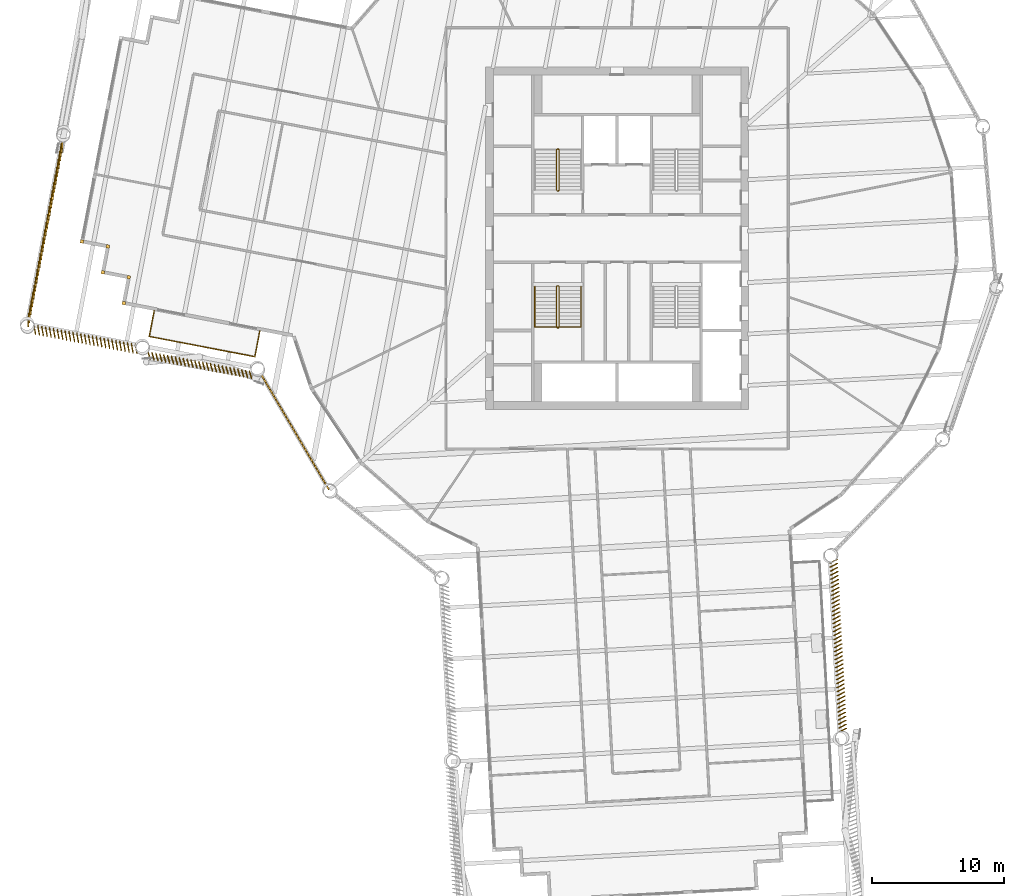
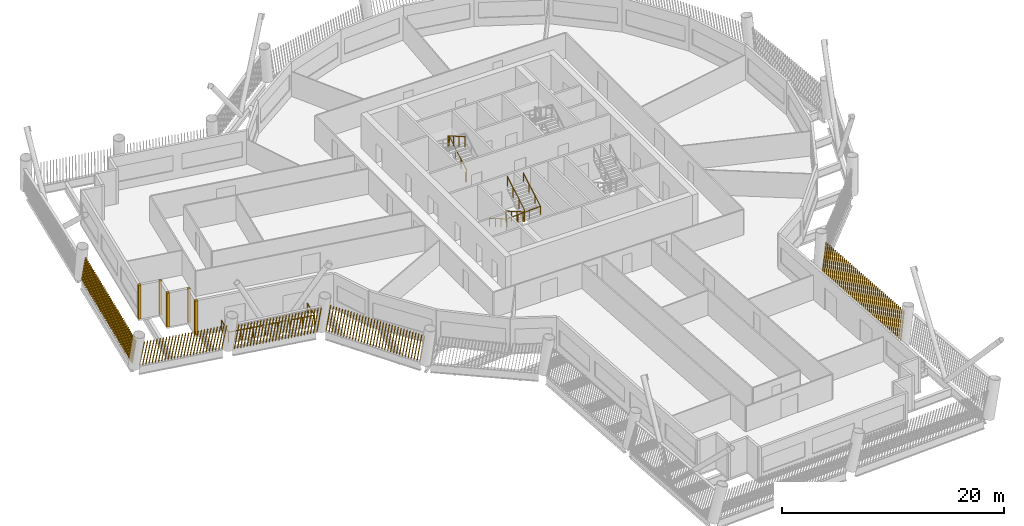
# One storey, part 20 of 23: 10 shading devices, 4 railings.
"""IFC4 building model written with IfcOpenShell, lengths in metres."""

from ifc_helpers import new_model, si_unit, direction, frame, frame_2d, origin, origin_2d, place, context, subcontext, project, spatial, rectangle, circle, composite_profile, extrude, material, type_object, element, save


model = new_model("IFC4")

# Units and contexts
model_context = context("Model", 3, precision=1e-05, world=origin(), true_north=direction((0.0, 1.0)))
body_context = subcontext(model_context, "Body", "Model", "MODEL_VIEW")
ifc_project = project(units=[si_unit("LENGTHUNIT", "METRE"), si_unit("AREAUNIT", "SQUARE_METRE"), si_unit("VOLUMEUNIT", "CUBIC_METRE"), si_unit("PLANEANGLEUNIT", "RADIAN"), si_unit("MASSUNIT", "GRAM", prefix="KILO")], contexts=[model_context])

# Site, building, storey
site_placement = place(None, origin())
site = spatial("IfcSite", under=ifc_project, at=site_placement, CompositionType="ELEMENT")
building_placement = place(site_placement, origin())
building = spatial("IfcBuilding", under=site, at=building_placement, Name="Tarsis Ring Headquarters", CompositionType="ELEMENT")
storey_placement = place(building_placement, frame((0.0, 0.0, 239.39990234375)))
storey = spatial("IfcBuildingStorey", under=building, at=storey_placement, Name="L56", CompositionType="ELEMENT", Elevation=239.39990234375)

# Railings
ifc_material_1 = material(Name="Stainless steel guard", Category="steel")
railing_type_1 = type_object("IfcRailingType", Name="Balcony balustrade with mesh infill 1100", PredefinedType="BALUSTRADE", material=ifc_material_1)
railing_1_placement = place(storey_placement, frame((-35.158935546875, -5.485595703125, 0.0)))
element("IfcRailing", 1, at=railing_1_placement, inside=storey, type_object=railing_type_1, Name="Balcony balustrade L56-01", PredefinedType="BALUSTRADE", context=body_context, shape_type="SweptSolid", body=[
    extrude(circle(Radius=0.030029296875, at=origin_2d()), frame((0.0, 0.0, 1.070068359375), z_axis=(-0.188104839582, -0.982148954755, 0.0), x_axis=(0.982148954755, -0.188104839582, 0.0)), (0.0, 0.0, 1.0), 2.0),
    extrude(circle(Radius=0.030029296875, at=origin_2d()), frame((-0.376220703125, -1.96435546875, 1.070068359375), z_axis=(0.982156366018, -0.188066139136, 0.0), x_axis=(0.188066139136, 0.982156366018, 0.0)), (0.0, 0.0, 1.0), 8.171875),
    extrude(circle(Radius=0.030029296875, at=origin_2d()), frame((7.64990234375, -3.501220703125, 1.070068359375), z_axis=(0.188104839582, 0.982148954755, 0.0), x_axis=(-0.982148954755, 0.188104839582, 0.0)), (0.0, 0.0, 1.0), 2.0),
    extrude(circle(Radius=0.02490234375, at=origin_2d()), origin(), (0.0, 0.0, 1.0), 1.0400390625),
    extrude(circle(Radius=0.02490234375, at=origin_2d()), frame((-0.18798828125, -0.982177734375, 0.0)), (0.0, 0.0, 1.0), 1.0400390625),
    extrude(circle(Radius=0.02490234375, at=origin_2d()), frame((-0.376220703125, -1.96435546875, 0.0)), (0.0, 0.0, 1.0), 1.0400390625),
    extrude(circle(Radius=0.02490234375, at=origin_2d()), frame((0.770263671875, -2.183837890625, 0.0)), (0.0, 0.0, 1.0), 1.0400390625),
    extrude(circle(Radius=0.02490234375, at=origin_2d()), frame((1.9169921875, -2.403564453125, 0.0)), (0.0, 0.0, 1.0), 1.0400390625),
    extrude(circle(Radius=0.02490234375, at=origin_2d()), frame((3.0634765625, -2.623046875, 0.0)), (0.0, 0.0, 1.0), 1.0400390625),
    extrude(circle(Radius=0.02490234375, at=origin_2d()), frame((4.210205078125, -2.842529296875, 0.0)), (0.0, 0.0, 1.0), 1.0400390625),
    extrude(circle(Radius=0.02490234375, at=origin_2d()), frame((5.356689453125, -3.06201171875, 0.0)), (0.0, 0.0, 1.0), 1.0400390625),
    extrude(circle(Radius=0.02490234375, at=origin_2d()), frame((6.50341796875, -3.28173828125, 0.0)), (0.0, 0.0, 1.0), 1.0400390625),
    extrude(circle(Radius=0.02490234375, at=origin_2d()), frame((7.64990234375, -3.501220703125, 0.0)), (0.0, 0.0, 1.0), 1.0400390625),
    extrude(circle(Radius=0.02490234375, at=origin_2d()), frame((7.837890625, -2.51904296875, 0.0)), (0.0, 0.0, 1.0), 1.0400390625),
    extrude(circle(Radius=0.02490234375, at=origin_2d()), frame((8.026123046875, -1.536865234375, 0.0)), (0.0, 0.0, 1.0), 1.0400390625),
])
ifc_material_2 = material(Name="Steel S355", Category="steel")
railing_type_2 = type_object("IfcRailingType", Name="Core stair guard 1100", PredefinedType="GUARDRAIL", material=ifc_material_2)
railing_2_placement = place(storey_placement, frame((-4.5400390625, 3.610107421875, 0.0)))
element("IfcRailing", 2, at=railing_2_placement, inside=storey, type_object=railing_type_2, Name="L56 ST1 stair guard 1", PredefinedType="GUARDRAIL", context=body_context, shape_type="SweptSolid", body=[
    extrude(circle(Radius=0.02392578125, at=origin_2d()), frame((0.0, 0.0, 1.076171875), z_axis=(1.0, 0.0, 0.0), x_axis=(0.0, 1.0, 0.0)), (0.0, 0.0, 1.0), 0.080078125),
    extrude(circle(Radius=0.02392578125, at=origin_2d()), frame((0.080078125, 0.0, 1.076171875), z_axis=(0.282336740067, 0.280959487676, 0.917250092119), x_axis=(-0.705375805398, 0.708833529934, 0.0)), (0.0, 0.0, 1.0), 0.17724609375),
    extrude(circle(Radius=0.02392578125, at=origin_2d()), frame((0.130126953125, 0.0498046875, 1.23876953125), z_axis=(0.0, 0.864890721111, 0.501960198159), x_axis=(-1.0, 0.0, 0.0)), (0.0, 0.0, 1.0), 3.561279296875),
    extrude(circle(Radius=0.02392578125, at=origin_2d()), frame((0.130126953125, 3.1298828125, 3.0263671875), z_axis=(-0.707106781187, 0.707106781187, 0.0), x_axis=(-0.707106781187, -0.707106781187, 0.0)), (0.0, 0.0, 1.0), 0.07080078125),
    extrude(circle(Radius=0.02392578125, at=origin_2d()), frame((0.080078125, 3.179931640625, 3.0263671875), z_axis=(-1.0, 0.0, 0.0), x_axis=(0.0, -1.0, 0.0)), (0.0, 0.0, 1.0), 0.080078125),
    extrude(circle(Radius=0.02392578125, at=origin_2d()), frame((0.0, 3.179931640625, 3.0263671875), z_axis=(-0.282583949758, -0.282583949758, 0.916674763849), x_axis=(0.707106781187, -0.707106781187, 0.0)), (0.0, 0.0, 1.0), 0.177001953125),
    extrude(circle(Radius=0.02392578125, at=origin_2d()), frame((-0.050048828125, 3.1298828125, 3.1884765625), z_axis=(0.0, -0.864890721111, 0.501960198159), x_axis=(1.0, 0.0, 0.0)), (0.0, 0.0, 1.0), 3.561279296875),
    extrude(circle(Radius=0.02099609375, at=origin_2d()), origin(), (0.0, 0.0, 1.0), 1.052001953125),
    extrude(circle(Radius=0.02099609375, at=origin_2d()), frame((0.080078125, 0.0, 0.0)), (0.0, 0.0, 1.0), 1.052001953125),
    extrude(circle(Radius=0.02099609375, at=origin_2d()), frame((0.130126953125, 0.0498046875, 0.16259765625)), (0.0, 0.0, 1.0), 1.052001953125),
    extrude(circle(Radius=0.02099609375, at=origin_2d()), frame((0.130126953125, 1.076416015625, 0.758544921875)), (0.0, 0.0, 1.0), 1.052001953125),
    extrude(circle(Radius=0.02099609375, at=origin_2d()), frame((0.130126953125, 2.103271484375, 1.354248046875)), (0.0, 0.0, 1.0), 1.052001953125),
    extrude(circle(Radius=0.02099609375, at=origin_2d()), frame((0.130126953125, 3.1298828125, 1.9501953125)), (0.0, 0.0, 1.0), 1.052001953125),
    extrude(circle(Radius=0.02099609375, at=origin_2d()), frame((0.080078125, 3.179931640625, 1.9501953125)), (0.0, 0.0, 1.0), 1.052001953125),
    extrude(circle(Radius=0.02099609375, at=origin_2d()), frame((0.0, 3.179931640625, 1.9501953125)), (0.0, 0.0, 1.0), 1.052001953125),
    extrude(circle(Radius=0.02099609375, at=origin_2d()), frame((-0.050048828125, 3.1298828125, 2.112548828125)), (0.0, 0.0, 1.0), 1.052001953125),
    extrude(circle(Radius=0.02099609375, at=origin_2d()), frame((-0.050048828125, 2.103271484375, 2.70849609375)), (0.0, 0.0, 1.0), 1.052001953125),
    extrude(circle(Radius=0.02099609375, at=origin_2d()), frame((-0.050048828125, 1.076416015625, 3.30419921875)), (0.0, 0.0, 1.0), 1.052001953125),
    extrude(circle(Radius=0.02099609375, at=origin_2d()), frame((-0.050048828125, 0.0498046875, 3.900146484375)), (0.0, 0.0, 1.0), 1.052001953125),
])
railing_3_placement = place(storey_placement, frame((-4.4599609375, -3.610107421875, 0.0)))
element("IfcRailing", 3, at=railing_3_placement, inside=storey, type_object=railing_type_2, Name="L56 ST3 stair guard 1", PredefinedType="GUARDRAIL", context=body_context, shape_type="SweptSolid", body=[
    extrude(circle(Radius=0.02392578125, at=origin_2d()), frame((0.0, 0.0, 1.076171875), z_axis=(-1.0, 0.0, 0.0), x_axis=(0.0, -1.0, 0.0)), (0.0, 0.0, 1.0), 0.080078125),
    extrude(circle(Radius=0.02392578125, at=origin_2d()), frame((-0.080078125, 0.0, 1.076171875), z_axis=(-0.282336740067, -0.280959487676, 0.917250092119), x_axis=(0.705375805398, -0.708833529934, 0.0)), (0.0, 0.0, 1.0), 0.17724609375),
    extrude(circle(Radius=0.02392578125, at=origin_2d()), frame((-0.130126953125, -0.0498046875, 1.23876953125), z_axis=(0.0, -0.864890721111, 0.501960198159), x_axis=(1.0, 0.0, 0.0)), (0.0, 0.0, 1.0), 3.561279296875),
    extrude(circle(Radius=0.02392578125, at=origin_2d()), frame((-0.130126953125, -3.1298828125, 3.0263671875), z_axis=(0.707106781187, -0.707106781187, 0.0), x_axis=(0.707106781187, 0.707106781187, 0.0)), (0.0, 0.0, 1.0), 0.07080078125),
    extrude(circle(Radius=0.02392578125, at=origin_2d()), frame((-0.080078125, -3.179931640625, 3.0263671875), z_axis=(1.0, 0.0, 0.0), x_axis=(0.0, 1.0, 0.0)), (0.0, 0.0, 1.0), 0.080078125),
    extrude(circle(Radius=0.02392578125, at=origin_2d()), frame((0.0, -3.179931640625, 3.0263671875), z_axis=(0.282583949758, 0.282583949758, 0.916674763849), x_axis=(-0.707106781187, 0.707106781187, 0.0)), (0.0, 0.0, 1.0), 0.177001953125),
    extrude(circle(Radius=0.02392578125, at=origin_2d()), frame((0.050048828125, -3.1298828125, 3.1884765625), z_axis=(0.0, 0.864890721111, 0.501960198159), x_axis=(-1.0, 0.0, 0.0)), (0.0, 0.0, 1.0), 3.561279296875),
    extrude(circle(Radius=0.02099609375, at=origin_2d()), origin(), (0.0, 0.0, 1.0), 1.052001953125),
    extrude(circle(Radius=0.02099609375, at=origin_2d()), frame((-0.080078125, 0.0, 0.0)), (0.0, 0.0, 1.0), 1.052001953125),
    extrude(circle(Radius=0.02099609375, at=origin_2d()), frame((-0.130126953125, -0.0498046875, 0.16259765625)), (0.0, 0.0, 1.0), 1.052001953125),
    extrude(circle(Radius=0.02099609375, at=origin_2d()), frame((-0.130126953125, -1.076416015625, 0.758544921875)), (0.0, 0.0, 1.0), 1.052001953125),
    extrude(circle(Radius=0.02099609375, at=origin_2d()), frame((-0.130126953125, -2.103271484375, 1.354248046875)), (0.0, 0.0, 1.0), 1.052001953125),
    extrude(circle(Radius=0.02099609375, at=origin_2d()), frame((-0.130126953125, -3.1298828125, 1.9501953125)), (0.0, 0.0, 1.0), 1.052001953125),
    extrude(circle(Radius=0.02099609375, at=origin_2d()), frame((-0.080078125, -3.179931640625, 1.9501953125)), (0.0, 0.0, 1.0), 1.052001953125),
    extrude(circle(Radius=0.02099609375, at=origin_2d()), frame((0.0, -3.179931640625, 1.9501953125)), (0.0, 0.0, 1.0), 1.052001953125),
    extrude(circle(Radius=0.02099609375, at=origin_2d()), frame((0.050048828125, -3.1298828125, 2.112548828125)), (0.0, 0.0, 1.0), 1.052001953125),
    extrude(circle(Radius=0.02099609375, at=origin_2d()), frame((0.050048828125, -2.103271484375, 2.70849609375)), (0.0, 0.0, 1.0), 1.052001953125),
    extrude(circle(Radius=0.02099609375, at=origin_2d()), frame((0.050048828125, -1.076416015625, 3.30419921875)), (0.0, 0.0, 1.0), 1.052001953125),
    extrude(circle(Radius=0.02099609375, at=origin_2d()), frame((0.050048828125, -0.0498046875, 3.900146484375)), (0.0, 0.0, 1.0), 1.052001953125),
])
railing_type_3 = type_object("IfcRailingType", Name="Core stair handrail 900", PredefinedType="HANDRAIL", material=ifc_material_2)
railing_4_placement = place(storey_placement, frame((-6.25, -3.659912109375, 0.16259765625)))
element("IfcRailing", 4, at=railing_4_placement, inside=storey, type_object=railing_type_3, Name="L56 ST3 stair handrail 1", PredefinedType="HANDRAIL", context=body_context, shape_type="SweptSolid", body=[
    extrude(circle(Radius=0.02392578125, at=origin_2d()), frame((0.0, 0.0, 0.8759765625), z_axis=(0.0, -0.864890721111, 0.501960198159), x_axis=(1.0, 0.0, 0.0)), (0.0, 0.0, 1.0), 3.561279296875),
    extrude(circle(Radius=0.02392578125, at=origin_2d()), frame((0.0, -3.080078125, 2.66357421875), z_axis=(0.998925869279, 0.0, 0.04633689335), x_axis=(0.0, 1.0, 0.0)), (0.0, 0.0, 1.0), 3.503662109375),
    extrude(circle(Radius=0.02392578125, at=origin_2d()), frame((3.5, -3.080078125, 2.82568359375), z_axis=(0.0, 0.864890721111, 0.501960198159), x_axis=(-1.0, 0.0, 0.0)), (0.0, 0.0, 1.0), 3.561279296875),
    extrude(circle(Radius=0.02099609375, at=origin_2d()), origin(), (0.0, 0.0, 1.0), 0.851806640625),
    extrude(circle(Radius=0.02099609375, at=origin_2d()), frame((0.0, -1.026611328125, 0.595947265625)), (0.0, 0.0, 1.0), 0.851806640625),
    extrude(circle(Radius=0.02099609375, at=origin_2d()), frame((0.0, -2.053466796875, 1.191650390625)), (0.0, 0.0, 1.0), 0.851806640625),
    extrude(circle(Radius=0.02099609375, at=origin_2d()), frame((0.0, -3.080078125, 1.78759765625)), (0.0, 0.0, 1.0), 0.851806640625),
    extrude(circle(Radius=0.02099609375, at=origin_2d()), frame((1.166748046875, -3.080078125, 1.841796875)), (0.0, 0.0, 1.0), 0.851806640625),
    extrude(circle(Radius=0.02099609375, at=origin_2d()), frame((2.333251953125, -3.080078125, 1.895751953125)), (0.0, 0.0, 1.0), 0.851806640625),
    extrude(circle(Radius=0.02099609375, at=origin_2d()), frame((3.5, -3.080078125, 1.949951171875)), (0.0, 0.0, 1.0), 0.851806640625),
    extrude(circle(Radius=0.02099609375, at=origin_2d()), frame((3.5, -2.053466796875, 2.5458984375)), (0.0, 0.0, 1.0), 0.851806640625),
    extrude(circle(Radius=0.02099609375, at=origin_2d()), frame((3.5, -1.026611328125, 3.1416015625)), (0.0, 0.0, 1.0), 0.851806640625),
    extrude(circle(Radius=0.02099609375, at=origin_2d()), frame((3.5, 0.0, 3.737548828125)), (0.0, 0.0, 1.0), 0.851806640625),
])

# Shading devices
ifc_material_3 = material(Name="Terracotta baguette", Category="masonry")
shading_device_type_1 = type_object("IfcShadingDeviceType", Name="Terracotta baguette screen", PredefinedType="USERDEFINED", material=ifc_material_3)
shading_device_1_placement = place(storey_placement, frame((16.89404296875, -37.5234375, 0.0), z_axis=(0.0, 0.0, 1.0), x_axis=(-0.055121388158, 0.998486196, 0.0)))
element("IfcShadingDevice", 5, at=shading_device_1_placement, inside=storey, type_object=shading_device_type_1, Name="Baguette screen L56-06", ObjectType="Terracotta baguette screen", PredefinedType="USERDEFINED", context=body_context, shape_type="SweptSolid", body=[
    extrude(composite_profile([rectangle(XDim=0.06005859375, YDim=0.1201171875, at=frame_2d((0.030029296875, 0.0))), rectangle(XDim=0.06005859375, YDim=0.1201171875, at=frame_2d((0.335693359375, 0.0))), rectangle(XDim=0.06005859375, YDim=0.1201171875, at=frame_2d((0.6416015625, 0.0))), rectangle(XDim=0.06005859375, YDim=0.1201171875, at=frame_2d((0.947265625, 0.0))), rectangle(XDim=0.06005859375, YDim=0.1201171875, at=frame_2d((1.253173828125, 0.0))), rectangle(XDim=0.06005859375, YDim=0.1201171875, at=frame_2d((1.558837890625, 0.0))), rectangle(XDim=0.06005859375, YDim=0.1201171875, at=frame_2d((1.864501953125, 0.0))), rectangle(XDim=0.06005859375, YDim=0.1201171875, at=frame_2d((2.17041015625, 0.0))), rectangle(XDim=0.06005859375, YDim=0.1201171875, at=frame_2d((2.47607421875, 0.0))), rectangle(XDim=0.06005859375, YDim=0.1201171875, at=frame_2d((2.781982421875, 0.0))), rectangle(XDim=0.06005859375, YDim=0.1201171875, at=frame_2d((3.087646484375, 0.0))), rectangle(XDim=0.06005859375, YDim=0.1201171875, at=frame_2d((3.393310546875, 0.0))), rectangle(XDim=0.06005859375, YDim=0.1201171875, at=frame_2d((3.69921875, 0.0))), rectangle(XDim=0.06005859375, YDim=0.1201171875, at=frame_2d((4.0048828125, 0.0))), rectangle(XDim=0.06005859375, YDim=0.1201171875, at=frame_2d((4.310791015625, 0.0))), rectangle(XDim=0.06005859375, YDim=0.1201171875, at=frame_2d((4.616455078125, 0.0))), rectangle(XDim=0.06005859375, YDim=0.1201171875, at=frame_2d((4.922119140625, 0.0))), rectangle(XDim=0.06005859375, YDim=0.1201171875, at=frame_2d((5.22802734375, 0.0))), rectangle(XDim=0.06005859375, YDim=0.1201171875, at=frame_2d((5.53369140625, 0.0))), rectangle(XDim=0.06005859375, YDim=0.1201171875, at=frame_2d((5.839599609375, 0.0))), rectangle(XDim=0.06005859375, YDim=0.1201171875, at=frame_2d((6.145263671875, 0.0))), rectangle(XDim=0.06005859375, YDim=0.1201171875, at=frame_2d((6.451171875, 0.0))), rectangle(XDim=0.06005859375, YDim=0.1201171875, at=frame_2d((6.7568359375, 0.0))), rectangle(XDim=0.06005859375, YDim=0.1201171875, at=frame_2d((7.0625, 0.0))), rectangle(XDim=0.06005859375, YDim=0.1201171875, at=frame_2d((7.368408203125, 0.0))), rectangle(XDim=0.06005859375, YDim=0.1201171875, at=frame_2d((7.674072265625, 0.0))), rectangle(XDim=0.06005859375, YDim=0.1201171875, at=frame_2d((7.97998046875, 0.0))), rectangle(XDim=0.06005859375, YDim=0.1201171875, at=frame_2d((8.28564453125, 0.0))), rectangle(XDim=0.06005859375, YDim=0.1201171875, at=frame_2d((8.59130859375, 0.0))), rectangle(XDim=0.06005859375, YDim=0.1201171875, at=frame_2d((8.897216796875, 0.0))), rectangle(XDim=0.06005859375, YDim=0.1201171875, at=frame_2d((9.202880859375, 0.0))), rectangle(XDim=0.06005859375, YDim=0.1201171875, at=frame_2d((9.5087890625, 0.0))), rectangle(XDim=0.06005859375, YDim=0.1201171875, at=frame_2d((9.814453125, 0.0))), rectangle(XDim=0.06005859375, YDim=0.1201171875, at=frame_2d((10.1201171875, 0.0))), rectangle(XDim=0.06005859375, YDim=0.1201171875, at=frame_2d((10.426025390625, 0.0))), rectangle(XDim=0.06005859375, YDim=0.1201171875, at=frame_2d((10.731689453125, 0.0))), rectangle(XDim=0.06005859375, YDim=0.1201171875, at=frame_2d((11.03759765625, 0.0))), rectangle(XDim=0.06005859375, YDim=0.1201171875, at=frame_2d((11.34326171875, 0.0))), rectangle(XDim=0.06005859375, YDim=0.1201171875, at=frame_2d((11.64892578125, 0.0))), rectangle(XDim=0.06005859375, YDim=0.1201171875, at=frame_2d((11.954833984375, 0.0))), rectangle(XDim=0.06005859375, YDim=0.1201171875, at=frame_2d((12.260498046875, 0.0))), rectangle(XDim=0.06005859375, YDim=0.1201171875, at=frame_2d((12.56640625, 0.0))), rectangle(XDim=0.06005859375, YDim=0.1201171875, at=frame_2d((12.8720703125, 0.0)))]), origin(), (0.083910104618, -0.177215948019, 0.980588395868), 3.008544921875),
])
shading_device_2_placement = place(storey_placement, frame((-42.13037109375, 7.55810546875, 0.0), z_axis=(0.0, 0.0, 1.0), x_axis=(-0.188058381247, -0.982149491375, 0.0)))
element("IfcShadingDevice", 6, at=shading_device_2_placement, inside=storey, type_object=shading_device_type_1, Name="Baguette screen L56-18", ObjectType="Terracotta baguette screen", PredefinedType="USERDEFINED", context=body_context, shape_type="SweptSolid", body=[
    extrude(composite_profile([rectangle(XDim=0.06005859375, YDim=0.1201171875, at=frame_2d((0.030029296875, 0.0))), rectangle(XDim=0.06005859375, YDim=0.1201171875, at=frame_2d((0.33544921875, 0.0))), rectangle(XDim=0.06005859375, YDim=0.1201171875, at=frame_2d((0.640625, 0.0))), rectangle(XDim=0.06005859375, YDim=0.1201171875, at=frame_2d((0.946044921875, 0.0))), rectangle(XDim=0.06005859375, YDim=0.1201171875, at=frame_2d((1.25146484375, 0.0))), rectangle(XDim=0.06005859375, YDim=0.1201171875, at=frame_2d((1.556640625, 0.0))), rectangle(XDim=0.06005859375, YDim=0.1201171875, at=frame_2d((1.862060546875, 0.0))), rectangle(XDim=0.06005859375, YDim=0.1201171875, at=frame_2d((2.16748046875, 0.0))), rectangle(XDim=0.06005859375, YDim=0.1201171875, at=frame_2d((2.47265625, 0.0))), rectangle(XDim=0.06005859375, YDim=0.1201171875, at=frame_2d((2.778076171875, 0.0))), rectangle(XDim=0.06005859375, YDim=0.1201171875, at=frame_2d((3.08349609375, 0.0))), rectangle(XDim=0.06005859375, YDim=0.1201171875, at=frame_2d((3.388671875, 0.0))), rectangle(XDim=0.06005859375, YDim=0.1201171875, at=frame_2d((3.694091796875, 0.0))), rectangle(XDim=0.06005859375, YDim=0.1201171875, at=frame_2d((3.99951171875, 0.0))), rectangle(XDim=0.06005859375, YDim=0.1201171875, at=frame_2d((4.3046875, 0.0))), rectangle(XDim=0.06005859375, YDim=0.1201171875, at=frame_2d((4.610107421875, 0.0))), rectangle(XDim=0.06005859375, YDim=0.1201171875, at=frame_2d((4.91552734375, 0.0))), rectangle(XDim=0.06005859375, YDim=0.1201171875, at=frame_2d((5.220703125, 0.0))), rectangle(XDim=0.06005859375, YDim=0.1201171875, at=frame_2d((5.526123046875, 0.0))), rectangle(XDim=0.06005859375, YDim=0.1201171875, at=frame_2d((5.83154296875, 0.0))), rectangle(XDim=0.06005859375, YDim=0.1201171875, at=frame_2d((6.13671875, 0.0))), rectangle(XDim=0.06005859375, YDim=0.1201171875, at=frame_2d((6.442138671875, 0.0))), rectangle(XDim=0.06005859375, YDim=0.1201171875, at=frame_2d((6.74755859375, 0.0))), rectangle(XDim=0.06005859375, YDim=0.1201171875, at=frame_2d((7.052734375, 0.0))), rectangle(XDim=0.06005859375, YDim=0.1201171875, at=frame_2d((7.358154296875, 0.0))), rectangle(XDim=0.06005859375, YDim=0.1201171875, at=frame_2d((7.66357421875, 0.0))), rectangle(XDim=0.06005859375, YDim=0.1201171875, at=frame_2d((7.96875, 0.0))), rectangle(XDim=0.06005859375, YDim=0.1201171875, at=frame_2d((8.274169921875, 0.0))), rectangle(XDim=0.06005859375, YDim=0.1201171875, at=frame_2d((8.57958984375, 0.0))), rectangle(XDim=0.06005859375, YDim=0.1201171875, at=frame_2d((8.884765625, 0.0))), rectangle(XDim=0.06005859375, YDim=0.1201171875, at=frame_2d((9.190185546875, 0.0))), rectangle(XDim=0.06005859375, YDim=0.1201171875, at=frame_2d((9.49560546875, 0.0))), rectangle(XDim=0.06005859375, YDim=0.1201171875, at=frame_2d((9.80078125, 0.0))), rectangle(XDim=0.06005859375, YDim=0.1201171875, at=frame_2d((10.106201171875, 0.0))), rectangle(XDim=0.06005859375, YDim=0.1201171875, at=frame_2d((10.41162109375, 0.0))), rectangle(XDim=0.06005859375, YDim=0.1201171875, at=frame_2d((10.716796875, 0.0))), rectangle(XDim=0.06005859375, YDim=0.1201171875, at=frame_2d((11.022216796875, 0.0))), rectangle(XDim=0.06005859375, YDim=0.1201171875, at=frame_2d((11.32763671875, 0.0))), rectangle(XDim=0.06005859375, YDim=0.1201171875, at=frame_2d((11.6328125, 0.0))), rectangle(XDim=0.06005859375, YDim=0.1201171875, at=frame_2d((11.938232421875, 0.0))), rectangle(XDim=0.06005859375, YDim=0.1201171875, at=frame_2d((12.24365234375, 0.0))), rectangle(XDim=0.06005859375, YDim=0.1201171875, at=frame_2d((12.548828125, 0.0))), rectangle(XDim=0.06005859375, YDim=0.1201171875, at=frame_2d((12.854248046875, 0.0))), rectangle(XDim=0.06005859375, YDim=0.1201171875, at=frame_2d((13.15966796875, 0.0))), rectangle(XDim=0.06005859375, YDim=0.1201171875, at=frame_2d((13.46484375, 0.0))), rectangle(XDim=0.06005859375, YDim=0.1201171875, at=frame_2d((13.770263671875, 0.0)))]), origin(), (0.235647087527, 0.042777349305, 0.970896775423), 3.03857421875),
])
shading_device_3_placement = place(storey_placement, frame((-44.32861328125, -6.58056640625, 0.0), z_axis=(0.0, 0.0, 1.0), x_axis=(0.982142857143, -0.188086999506, 0.0)))
element("IfcShadingDevice", 7, at=shading_device_3_placement, inside=storey, type_object=shading_device_type_1, Name="Baguette screen L56-19", ObjectType="Terracotta baguette screen", PredefinedType="USERDEFINED", context=body_context, shape_type="SweptSolid", body=[
    extrude(composite_profile([rectangle(XDim=0.06005859375, YDim=0.1201171875, at=frame_2d((0.030029296875, 0.0))), rectangle(XDim=0.06005859375, YDim=0.1201171875, at=frame_2d((0.33154296875, 0.0))), rectangle(XDim=0.06005859375, YDim=0.1201171875, at=frame_2d((0.63330078125, 0.0))), rectangle(XDim=0.06005859375, YDim=0.1201171875, at=frame_2d((0.934814453125, 0.0))), rectangle(XDim=0.06005859375, YDim=0.1201171875, at=frame_2d((1.236572265625, 0.0))), rectangle(XDim=0.06005859375, YDim=0.1201171875, at=frame_2d((1.5380859375, 0.0))), rectangle(XDim=0.06005859375, YDim=0.1201171875, at=frame_2d((1.83984375, 0.0))), rectangle(XDim=0.06005859375, YDim=0.1201171875, at=frame_2d((2.141357421875, 0.0))), rectangle(XDim=0.06005859375, YDim=0.1201171875, at=frame_2d((2.443115234375, 0.0))), rectangle(XDim=0.06005859375, YDim=0.1201171875, at=frame_2d((2.74462890625, 0.0))), rectangle(XDim=0.06005859375, YDim=0.1201171875, at=frame_2d((3.04638671875, 0.0))), rectangle(XDim=0.06005859375, YDim=0.1201171875, at=frame_2d((3.347900390625, 0.0))), rectangle(XDim=0.06005859375, YDim=0.1201171875, at=frame_2d((3.649658203125, 0.0))), rectangle(XDim=0.06005859375, YDim=0.1201171875, at=frame_2d((3.951171875, 0.0))), rectangle(XDim=0.06005859375, YDim=0.1201171875, at=frame_2d((4.252685546875, 0.0))), rectangle(XDim=0.06005859375, YDim=0.1201171875, at=frame_2d((4.554443359375, 0.0))), rectangle(XDim=0.06005859375, YDim=0.1201171875, at=frame_2d((4.85595703125, 0.0))), rectangle(XDim=0.06005859375, YDim=0.1201171875, at=frame_2d((5.15771484375, 0.0))), rectangle(XDim=0.06005859375, YDim=0.1201171875, at=frame_2d((5.459228515625, 0.0))), rectangle(XDim=0.06005859375, YDim=0.1201171875, at=frame_2d((5.760986328125, 0.0))), rectangle(XDim=0.06005859375, YDim=0.1201171875, at=frame_2d((6.0625, 0.0))), rectangle(XDim=0.06005859375, YDim=0.1201171875, at=frame_2d((6.3642578125, 0.0))), rectangle(XDim=0.06005859375, YDim=0.1201171875, at=frame_2d((6.665771484375, 0.0))), rectangle(XDim=0.06005859375, YDim=0.1201171875, at=frame_2d((6.967529296875, 0.0))), rectangle(XDim=0.06005859375, YDim=0.1201171875, at=frame_2d((7.26904296875, 0.0))), rectangle(XDim=0.06005859375, YDim=0.1201171875, at=frame_2d((7.57080078125, 0.0))), rectangle(XDim=0.06005859375, YDim=0.1201171875, at=frame_2d((7.872314453125, 0.0)))]), origin(), (0.083630409548, -0.21139389312, 0.973816500451), 3.029541015625),
])
shading_device_4_placement = place(storey_placement, frame((-35.65576171875, -8.623291015625, 0.0), z_axis=(0.0, 0.0, 1.0), x_axis=(0.982142857143, -0.188056104795, 0.0)))
element("IfcShadingDevice", 8, at=shading_device_4_placement, inside=storey, type_object=shading_device_type_1, Name="Baguette screen L56-20", ObjectType="Terracotta baguette screen", PredefinedType="USERDEFINED", context=body_context, shape_type="SweptSolid", body=[
    extrude(composite_profile([rectangle(XDim=0.06005859375, YDim=0.1201171875, at=frame_2d((0.030029296875, 0.0))), rectangle(XDim=0.06005859375, YDim=0.1201171875, at=frame_2d((0.33154296875, 0.0))), rectangle(XDim=0.06005859375, YDim=0.1201171875, at=frame_2d((0.63330078125, 0.0))), rectangle(XDim=0.06005859375, YDim=0.1201171875, at=frame_2d((0.934814453125, 0.0))), rectangle(XDim=0.06005859375, YDim=0.1201171875, at=frame_2d((1.236572265625, 0.0))), rectangle(XDim=0.06005859375, YDim=0.1201171875, at=frame_2d((1.5380859375, 0.0))), rectangle(XDim=0.06005859375, YDim=0.1201171875, at=frame_2d((1.83984375, 0.0))), rectangle(XDim=0.06005859375, YDim=0.1201171875, at=frame_2d((2.141357421875, 0.0))), rectangle(XDim=0.06005859375, YDim=0.1201171875, at=frame_2d((2.443115234375, 0.0))), rectangle(XDim=0.06005859375, YDim=0.1201171875, at=frame_2d((2.74462890625, 0.0))), rectangle(XDim=0.06005859375, YDim=0.1201171875, at=frame_2d((3.04638671875, 0.0))), rectangle(XDim=0.06005859375, YDim=0.1201171875, at=frame_2d((3.347900390625, 0.0))), rectangle(XDim=0.06005859375, YDim=0.1201171875, at=frame_2d((3.649658203125, 0.0))), rectangle(XDim=0.06005859375, YDim=0.1201171875, at=frame_2d((3.951171875, 0.0))), rectangle(XDim=0.06005859375, YDim=0.1201171875, at=frame_2d((4.252685546875, 0.0))), rectangle(XDim=0.06005859375, YDim=0.1201171875, at=frame_2d((4.554443359375, 0.0))), rectangle(XDim=0.06005859375, YDim=0.1201171875, at=frame_2d((4.85595703125, 0.0))), rectangle(XDim=0.06005859375, YDim=0.1201171875, at=frame_2d((5.15771484375, 0.0))), rectangle(XDim=0.06005859375, YDim=0.1201171875, at=frame_2d((5.459228515625, 0.0))), rectangle(XDim=0.06005859375, YDim=0.1201171875, at=frame_2d((5.760986328125, 0.0))), rectangle(XDim=0.06005859375, YDim=0.1201171875, at=frame_2d((6.0625, 0.0))), rectangle(XDim=0.06005859375, YDim=0.1201171875, at=frame_2d((6.3642578125, 0.0))), rectangle(XDim=0.06005859375, YDim=0.1201171875, at=frame_2d((6.665771484375, 0.0))), rectangle(XDim=0.06005859375, YDim=0.1201171875, at=frame_2d((6.967529296875, 0.0))), rectangle(XDim=0.06005859375, YDim=0.1201171875, at=frame_2d((7.26904296875, 0.0))), rectangle(XDim=0.06005859375, YDim=0.1201171875, at=frame_2d((7.57080078125, 0.0))), rectangle(XDim=0.06005859375, YDim=0.1201171875, at=frame_2d((7.872314453125, 0.0)))]), origin(), (0.086068231922, -0.163634986334, 0.982759304561), 3.001953125),
])
shading_device_5_placement = place(storey_placement, frame((-27.079345703125, -10.26611328125, 0.0), z_axis=(0.0, 0.0, 1.0), x_axis=(0.507170697581, -0.861857885269, 0.0)))
element("IfcShadingDevice", 9, at=shading_device_5_placement, inside=storey, type_object=shading_device_type_1, Name="Baguette screen L56-21", ObjectType="Terracotta baguette screen", PredefinedType="USERDEFINED", context=body_context, shape_type="SweptSolid", body=[
    extrude(composite_profile([rectangle(XDim=0.06005859375, YDim=0.1201171875, at=frame_2d((0.030029296875, 0.0))), rectangle(XDim=0.06005859375, YDim=0.1201171875, at=frame_2d((0.33349609375, 0.0))), rectangle(XDim=0.06005859375, YDim=0.1201171875, at=frame_2d((0.636962890625, 0.0))), rectangle(XDim=0.06005859375, YDim=0.1201171875, at=frame_2d((0.9404296875, 0.0))), rectangle(XDim=0.06005859375, YDim=0.1201171875, at=frame_2d((1.243896484375, 0.0))), rectangle(XDim=0.06005859375, YDim=0.1201171875, at=frame_2d((1.54736328125, 0.0))), rectangle(XDim=0.06005859375, YDim=0.1201171875, at=frame_2d((1.850830078125, 0.0))), rectangle(XDim=0.06005859375, YDim=0.1201171875, at=frame_2d((2.154296875, 0.0))), rectangle(XDim=0.06005859375, YDim=0.1201171875, at=frame_2d((2.4580078125, 0.0))), rectangle(XDim=0.06005859375, YDim=0.1201171875, at=frame_2d((2.761474609375, 0.0))), rectangle(XDim=0.06005859375, YDim=0.1201171875, at=frame_2d((3.06494140625, 0.0))), rectangle(XDim=0.06005859375, YDim=0.1201171875, at=frame_2d((3.368408203125, 0.0))), rectangle(XDim=0.06005859375, YDim=0.1201171875, at=frame_2d((3.671875, 0.0))), rectangle(XDim=0.06005859375, YDim=0.1201171875, at=frame_2d((3.975341796875, 0.0))), rectangle(XDim=0.06005859375, YDim=0.1201171875, at=frame_2d((4.27880859375, 0.0))), rectangle(XDim=0.06005859375, YDim=0.1201171875, at=frame_2d((4.582275390625, 0.0))), rectangle(XDim=0.06005859375, YDim=0.1201171875, at=frame_2d((4.8857421875, 0.0))), rectangle(XDim=0.06005859375, YDim=0.1201171875, at=frame_2d((5.189208984375, 0.0))), rectangle(XDim=0.06005859375, YDim=0.1201171875, at=frame_2d((5.49267578125, 0.0))), rectangle(XDim=0.06005859375, YDim=0.1201171875, at=frame_2d((5.796142578125, 0.0))), rectangle(XDim=0.06005859375, YDim=0.1201171875, at=frame_2d((6.099609375, 0.0))), rectangle(XDim=0.06005859375, YDim=0.1201171875, at=frame_2d((6.403076171875, 0.0))), rectangle(XDim=0.06005859375, YDim=0.1201171875, at=frame_2d((6.70654296875, 0.0))), rectangle(XDim=0.06005859375, YDim=0.1201171875, at=frame_2d((7.010009765625, 0.0))), rectangle(XDim=0.06005859375, YDim=0.1201171875, at=frame_2d((7.3134765625, 0.0))), rectangle(XDim=0.06005859375, YDim=0.1201171875, at=frame_2d((7.6171875, 0.0))), rectangle(XDim=0.06005859375, YDim=0.1201171875, at=frame_2d((7.920654296875, 0.0))), rectangle(XDim=0.06005859375, YDim=0.1201171875, at=frame_2d((8.22412109375, 0.0))), rectangle(XDim=0.06005859375, YDim=0.1201171875, at=frame_2d((8.527587890625, 0.0))), rectangle(XDim=0.06005859375, YDim=0.1201171875, at=frame_2d((8.8310546875, 0.0))), rectangle(XDim=0.06005859375, YDim=0.1201171875, at=frame_2d((9.134521484375, 0.0))), rectangle(XDim=0.06005859375, YDim=0.1201171875, at=frame_2d((9.43798828125, 0.0))), rectangle(XDim=0.06005859375, YDim=0.1201171875, at=frame_2d((9.741455078125, 0.0)))]), origin(), (0.160020846608, 0.001340019788, 0.987112725578), 2.98876953125),
])
shading_device_type_2 = type_object("IfcShadingDeviceType", Name="Terracotta corner baguette 250x250", PredefinedType="USERDEFINED", material=ifc_material_3)
for number, where, z_axis, x_axis, name in (
    (10, (-37.46826171875, -4.916259765625, 0.0), (0.0, 0.0, 1.0), (-0.188067034735, -0.982156194526, 0.0), "Corner baguette L56-01"),
    (11, (-40.64453125, -0.2353515625, 0.0), (0.0, 0.0, 1.0), (-0.188067000452, -0.982156201091, 0.0), "Corner baguette L56-37"),
    (12, (-38.68017578125, -0.611328125, 0.0), (0.0, 0.0, 1.0), (0.982156194526, -0.188067034735, 0.0), "Corner baguette L56-38"),
    (13, (-39.056396484375, -2.57568359375, 0.0), (0.0, 0.0, 1.0), (-0.188066949026, -0.982156210938, 0.0), "Corner baguette L56-39"),
    (14, (-37.092041015625, -2.951904296875, 0.0), (0.0, 0.0, 1.0), (0.982156210938, -0.188066949026, 0.0), "Corner baguette L56-40"),
):
    element("IfcShadingDevice", number, at=place(storey_placement, frame(where, z_axis=z_axis, x_axis=x_axis)), inside=storey, type_object=shading_device_type_2, Name=name, ObjectType="Terracotta corner baguette", PredefinedType="USERDEFINED", context=body_context, shape_type="SweptSolid", body=[
        extrude(rectangle(XDim=0.25, YDim=0.25, at=origin_2d()), origin(), (0.0, 0.0, 1.0), 3.739990234375),
    ])

save(model, "model.ifc")
